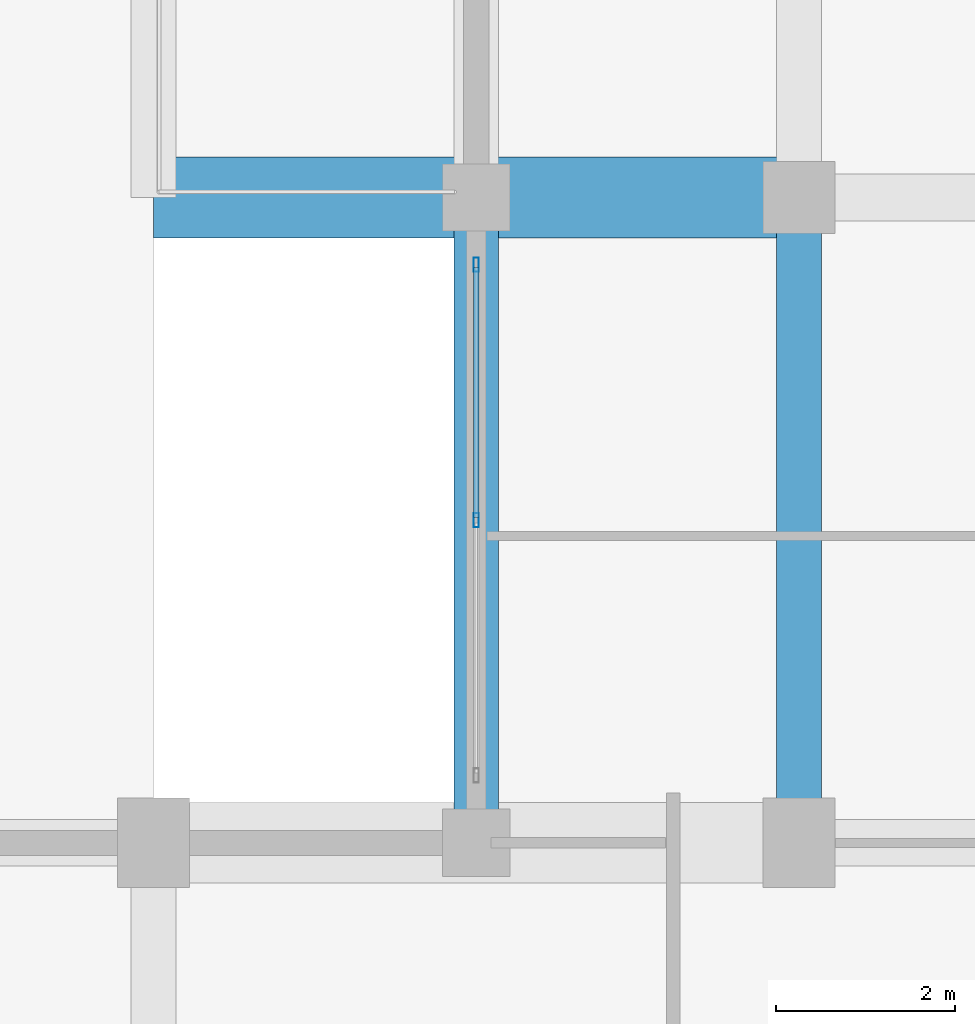
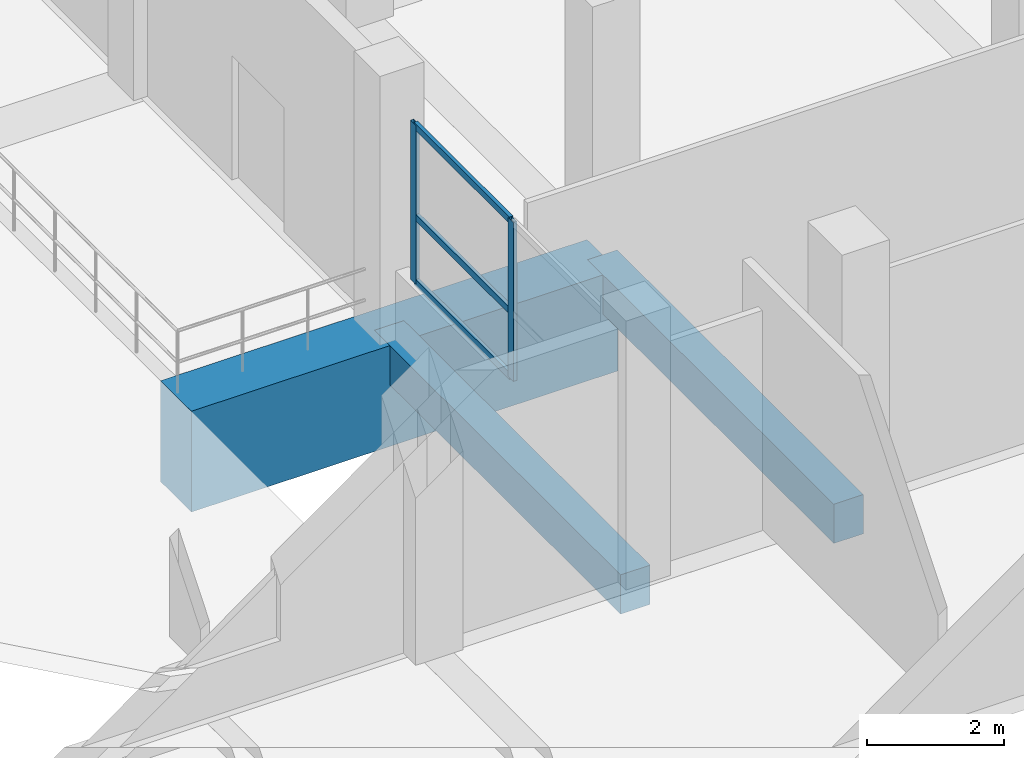
# One storey, part 16 of 140: 5 members, 3 beams, 1 element without a shape of its own.
"""IFC4 building model written with IfcOpenShell, lengths in metres."""

import ifcopenshell
import ifcopenshell.guid

model = None  # the IFC model being written
_history = None  # IfcOwnerHistory: only IFC2X3 demands one
_inside = {}  # id of a spatial element -> (the spatial element, [elements in it])
_under = {}  # id of a project, library or spatial element -> (it, [spatial elements below it])
_declared = {}  # id of a project -> (the project, [libraries it declares])
_typed = {}  # id of a type object -> (the type object, [elements of that type])
_made_of = {}  # id of a material, layer set ... -> (it, [elements and type objects made of it])


def new_model(schema):
    """Start an empty IFC model of exactly this schema.

    Asked for "IFC4X3", IfcOpenShell would pick the latest addendum, in which some entities
    have other attributes; the version numbers below select the first issue.
    IFC2X3 requires an IfcOwnerHistory on every rooted entity: one is made here for all.
    """
    global model, _history
    if schema == "IFC4X3":
        model = ifcopenshell.file(schema_version=(4, 3, 0, 0))
    else:
        model = ifcopenshell.file(schema=schema)
    _inside.clear()
    _under.clear()
    _declared.clear()
    _typed.clear()
    _made_of.clear()
    _history = None
    if model.schema == "IFC2X3":
        org = make("IfcOrganization", Name="unknown")
        user = make(
            "IfcPersonAndOrganization",
            ThePerson=make("IfcPerson", FamilyName="unknown"),
            TheOrganization=org,
        )
        app = make(
            "IfcApplication",
            ApplicationDeveloper=org,
            Version="unknown",
            ApplicationFullName="unknown",
            ApplicationIdentifier="unknown",
        )
        _history = make(
            "IfcOwnerHistory",
            OwningUser=user,
            OwningApplication=app,
            ChangeAction="ADDED",
            CreationDate=0,
        )
    return model


def make(cls, **values):
    """One entity of the class cls with the attributes given. An attribute that is None is left unset."""
    return model.create_entity(
        cls, **{name: value for name, value in values.items() if value is not None}
    )


def rooted(cls, **values):
    """An entity with a GlobalId (a new one), such as an element, a storey or a relation."""
    return make(cls, GlobalId=ifcopenshell.guid.new(), OwnerHistory=_history, **values)


def si_unit(unit_type, name, prefix=None):
    """IfcSIUnit, for example si_unit("LENGTHUNIT", "METRE", prefix="MILLI")."""
    return make("IfcSIUnit", UnitType=unit_type, Prefix=prefix, Name=name)


def assignment(units):
    """IfcUnitAssignment: the units of a project."""
    return None if units is None else make("IfcUnitAssignment", Units=units)


def point(xyz):
    """IfcCartesianPoint."""
    return None if xyz is None else make("IfcCartesianPoint", Coordinates=xyz)


def direction(xyz):
    """IfcDirection."""
    return None if xyz is None else make("IfcDirection", DirectionRatios=xyz)


def frame(location, z_axis=None, x_axis=None):
    """IfcAxis2Placement3D, a coordinate frame: its origin and axes. An axis left out is left unset."""
    return make(
        "IfcAxis2Placement3D",
        Location=point(location),
        Axis=direction(z_axis),
        RefDirection=direction(x_axis),
    )


def frame_2d(location, x_axis=None):
    """IfcAxis2Placement2D, a coordinate frame in the plane: its origin and x axis."""
    return make(
        "IfcAxis2Placement2D", Location=point(location), RefDirection=direction(x_axis)
    )


def origin():
    """The frame at (0, 0, 0) with its axes left unset."""
    return frame((0.0, 0.0, 0.0))


def origin_2d():
    """The frame at (0, 0) in the plane with its x axis left unset."""
    return frame_2d((0.0, 0.0))


def place(relative_to, where):
    """IfcLocalPlacement: puts the frame where relative to a parent placement (None: the world)."""
    return make(
        "IfcLocalPlacement", PlacementRelTo=relative_to, RelativePlacement=where
    )


def context(
    kind, dimensions, precision=None, world=None, true_north=None, identifier=None
):
    """IfcGeometricRepresentationContext, for example the 3D "Model" context."""
    return make(
        "IfcGeometricRepresentationContext",
        ContextIdentifier=identifier,
        ContextType=kind,
        CoordinateSpaceDimension=dimensions,
        Precision=precision,
        WorldCoordinateSystem=world,
        TrueNorth=true_north,
    )


def subcontext(parent, identifier, kind, view, scale=None):
    """IfcGeometricRepresentationSubContext, for example "Body" below "Model"."""
    return make(
        "IfcGeometricRepresentationSubContext",
        ContextIdentifier=identifier,
        ContextType=kind,
        ParentContext=parent,
        TargetScale=scale,
        TargetView=view,
    )


def project(units=None, contexts=None):
    """IfcProject with its units and contexts."""
    return rooted(
        "IfcProject",
        Name="project",
        RepresentationContexts=contexts,
        UnitsInContext=assignment(units),
    )


def spatial(cls, under=None, at=None, **own):
    """A site, building, storey or space (cls), placed at a placement, below another one or the project."""
    s = rooted(cls, ObjectPlacement=at, **own)
    if under is not None:
        _under.setdefault(under.id(), (under, []))[1].append(s)
    return s


def profile(cls, at=None, kind="AREA", **sizes):
    """A parametric profile (cls). Its sizes go by their IFC names, for example OverallWidth=200.0."""
    return make(cls, ProfileType=kind, Position=at, **sizes)


def rectangle(**sizes):
    """IfcRectangleProfileDef."""
    return profile("IfcRectangleProfileDef", **sizes)


def hollow_rectangle(**sizes):
    """IfcRectangleHollowProfileDef."""
    return profile("IfcRectangleHollowProfileDef", **sizes)


def extrude(swept, where, along, depth):
    """IfcExtrudedAreaSolid: the profile swept, set in the frame where, extruded along a direction by depth."""
    return make(
        "IfcExtrudedAreaSolid",
        SweptArea=swept,
        Position=where,
        ExtrudedDirection=direction(along),
        Depth=depth,
    )


def shape(context_of_items, identifier, shape_type, items):
    """IfcShapeRepresentation: the items that make up one representation, for example the "Body"."""
    return make(
        "IfcShapeRepresentation",
        ContextOfItems=context_of_items,
        RepresentationIdentifier=identifier,
        RepresentationType=shape_type,
        Items=items,
    )


def material(Name=None, Category=None):
    """IfcMaterial."""
    return make("IfcMaterial", Name=Name, Category=Category)


def layer(
    of_material, thickness, ventilated=None, Name=None, Category=None, Priority=None
):
    """IfcMaterialLayer: one layer of a wall or slab, of a material (None: an air gap)."""
    return make(
        "IfcMaterialLayer",
        Material=of_material,
        LayerThickness=thickness,
        IsVentilated=ventilated,
        Name=Name,
        Category=Category,
        Priority=Priority,
    )


def layer_set(layers, Name=None):
    """IfcMaterialLayerSet."""
    return make("IfcMaterialLayerSet", MaterialLayers=layers, LayerSetName=Name)


def material_profile(
    of_material, cross_section, Name=None, Category=None, Priority=None
):
    """IfcMaterialProfile: a cross section and its material."""
    return make(
        "IfcMaterialProfile",
        Name=Name,
        Material=of_material,
        Profile=cross_section,
        Priority=Priority,
        Category=Category,
    )


def profile_set(profiles, Name=None, composite=None):
    """IfcMaterialProfileSet."""
    return make(
        "IfcMaterialProfileSet",
        Name=Name,
        MaterialProfiles=profiles,
        CompositeProfile=composite,
    )


def made_of(thing, what):
    """Note that an element or type object is made of a material, layer set ...; save() writes the relation."""
    if what is not None:
        _made_of.setdefault(what.id(), (what, []))[1].append(thing)
    return thing


def type_object(cls, material=None, **own):
    """A type object (cls), such as IfcWallType, which elements share."""
    return made_of(rooted(cls, **own), material)


def element(
    cls,
    number,
    at=None,
    inside=None,
    cuts=None,
    type_object=None,
    material=None,
    context=None,
    identifier="Body",
    shape_type=None,
    held_by="IfcProductDefinitionShape",
    body=None,
    shapes=None,
    **own,
):
    """One element of the class cls, such as IfcWall. Its Tag is "e" and its number.

    at: its placement. inside: the storey or other place that contains it. cuts: it is an
    opening in that element (IfcRelVoidsElement). A single representation is given by context,
    identifier, shape_type and body (its items); several are given by shapes. held_by: the class
    of the entity that holds the representations. save() writes the other relations.
    """
    e = rooted(cls, Tag="e%d" % number, ObjectPlacement=at, **own)
    if body is not None:
        shapes = [shape(context, identifier, shape_type, body)]
    if shapes is not None:
        e.Representation = make(held_by, Representations=shapes)
    if inside is not None:
        _inside.setdefault(inside.id(), (inside, []))[1].append(e)
    if cuts is not None:
        rooted(
            "IfcRelVoidsElement", RelatingBuildingElement=cuts, RelatedOpeningElement=e
        )
    if type_object is not None:
        _typed.setdefault(type_object.id(), (type_object, []))[1].append(e)
    return made_of(e, material)


def aggregate(whole, parts):
    """IfcRelAggregates: a whole, such as a stair, and the parts it consists of."""
    return rooted("IfcRelAggregates", RelatingObject=whole, RelatedObjects=parts)


def save(model, path):
    """Write the relations noted so far, then the file.

    IfcRelAggregates (storeys below a building ...), IfcRelContainedInSpatialStructure (elements
    in a storey), IfcRelDefinesByType, IfcRelAssociatesMaterial and IfcRelDeclares: one each for
    every whole, place, type object, material and project.
    """
    for whole, parts in _under.values():
        aggregate(whole, parts)
    for where, things in _inside.values():
        rooted(
            "IfcRelContainedInSpatialStructure",
            RelatedElements=things,
            RelatingStructure=where,
        )
    for kind, things in _typed.values():
        rooted("IfcRelDefinesByType", RelatedObjects=things, RelatingType=kind)
    for what, things in _made_of.values():
        rooted("IfcRelAssociatesMaterial", RelatedObjects=things, RelatingMaterial=what)
    for by, libraries in _declared.values():
        rooted("IfcRelDeclares", RelatingContext=by, RelatedDefinitions=libraries)
    model.write(path)


model = new_model("IFC4")

# Units and contexts
model_context = context("Model", 3, precision=1e-05, world=origin(), true_north=direction((0.0, 1.0)))
body_context = subcontext(model_context, "Body", "Model", "MODEL_VIEW")
ifc_project = project(units=[si_unit("LENGTHUNIT", "METRE"), si_unit("AREAUNIT", "SQUARE_METRE"), si_unit("VOLUMEUNIT", "CUBIC_METRE"), si_unit("PLANEANGLEUNIT", "RADIAN"), si_unit("MASSUNIT", "GRAM", prefix="KILO")], contexts=[model_context])

# Site, building, storey
site_placement = place(None, origin())
site = spatial("IfcSite", under=ifc_project, at=site_placement, CompositionType="ELEMENT")
building_placement = place(site_placement, origin())
building = spatial("IfcBuilding", under=site, at=building_placement, Name="Seraya Terrace Polytechnic", CompositionType="ELEMENT")
storey_placement = place(building_placement, frame((0.0, 0.0, 9.60009765625)))
storey = spatial("IfcBuildingStorey", under=building, at=storey_placement, Name="L02", CompositionType="ELEMENT", Elevation=9.60009765625)

# Beams
ifc_material_1 = material(Name="Concrete C40/50", Category="concrete")
ifc_material_profile_1 = material_profile(ifc_material_1, rectangle(XDim=0.5, YDim=0.699951171875, at=origin_2d()), Name="RC 500x700")
ifc_profile_set_1 = profile_set([ifc_material_profile_1], Name="Concrete C40/50")
beam_type_1 = type_object("IfcBeamType", Name="BM-07", PredefinedType="BEAM", material=ifc_profile_set_1)
for number, where, z_axis, x_axis, name in (
    (1, (10.800048828125, 28.800048828125, -0.35009765625), (0.0, 1.0, 0.0), (-1.0, 0.0, 0.0), "Beam BM-07 L02 Y (10.8, 28.8..36.0)"),
    (2, (14.39990234375, 28.800048828125, -0.35009765625), (0.0, 1.0, 0.0), (-1.0, 0.0, 0.0), "Beam BM-07 L02 Y (14.4, 28.8..36.0)"),
):
    element("IfcBeam", number, at=place(storey_placement, frame(where, z_axis=z_axis, x_axis=x_axis)), inside=storey, type_object=beam_type_1, Name=name, PredefinedType="BEAM", context=body_context, shape_type="SweptSolid", body=[
        extrude(rectangle(XDim=0.5, YDim=0.699951171875, at=origin_2d()), origin(), (0.0, 0.0, 1.0), 7.199951171875),
    ])

# Curtain wall, members
ifc_material_2 = material(Name="Anodised aluminium EN AW-6063 T6", Category="aluminium")
ifc_layer = layer(ifc_material_2, 0.179931640625, Name="CW-20")
ifc_layer_set = layer_set([ifc_layer], Name="Anodised aluminium EN AW-6063 T6")
curtain_wall_type = type_object("IfcCurtainWallType", Name="CW-20", PredefinedType="NOTDEFINED", material=ifc_layer_set)
curtain_wall_placement = place(storey_placement, origin())
curtain_wall = element("IfcCurtainWall", 3, at=curtain_wall_placement, inside=storey, type_object=curtain_wall_type, Name="Unitised curtain wall CW-20 (CW-L02-056)", PredefinedType="NOTDEFINED")
ifc_material_profile_2 = material_profile(ifc_material_2, hollow_rectangle(XDim=0.06005859375, YDim=0.159912109375, WallThickness=0.00341796875, at=origin_2d()), Name="RHS 160x60x3.5")
ifc_profile_set_2 = profile_set([ifc_material_profile_2], Name="Anodised aluminium EN AW-6063 T6")
member_type_1 = type_object("IfcMemberType", Name="CWM-02", PredefinedType="MULLION", material=ifc_profile_set_2)
member_1_placement = place(storey_placement, frame((10.800048828125, 32.39990234375, 1.239990234375), z_axis=(0.0, 0.0, 1.0), x_axis=(-1.0, 0.0, 0.0)))
member_1 = element("IfcMember", 4, at=member_1_placement, type_object=member_type_1, Name="CW-20 mullion 2", PredefinedType="MULLION", context=body_context, shape_type="SweptSolid", body=[
    extrude(hollow_rectangle(XDim=0.06005859375, YDim=0.159912109375, WallThickness=0.00341796875, at=origin_2d()), origin(), (0.0, 0.0, 1.0), 2.83984375),
])
member_2_placement = place(storey_placement, frame((10.800048828125, 35.25, 1.239990234375), z_axis=(0.0, 0.0, 1.0), x_axis=(-1.0, 0.0, 0.0)))
member_2 = element("IfcMember", 5, at=member_2_placement, type_object=member_type_1, Name="CW-20 mullion 3", PredefinedType="MULLION", context=body_context, shape_type="SweptSolid", body=[
    extrude(hollow_rectangle(XDim=0.06005859375, YDim=0.159912109375, WallThickness=0.00341796875, at=origin_2d()), origin(), (0.0, 0.0, 1.0), 2.83984375),
])
ifc_material_profile_3 = material_profile(ifc_material_2, hollow_rectangle(XDim=0.06005859375, YDim=0.1201171875, WallThickness=0.003173828125, at=origin_2d()), Name="RHS 120x60x3.2")
ifc_profile_set_3 = profile_set([ifc_material_profile_3], Name="Anodised aluminium EN AW-6063 T6")
member_type_2 = type_object("IfcMemberType", Name="CWT-02", PredefinedType="USERDEFINED", material=ifc_profile_set_3)
member_3_placement = place(storey_placement, frame((10.800048828125, 32.429931640625, 1.27001953125), z_axis=(0.0, 1.0, 0.0), x_axis=(-1.0, 0.0, 0.0)))
member_3 = element("IfcMember", 6, at=member_3_placement, type_object=member_type_2, Name="CW-20 transom 2.1", ObjectType="TRANSOM", PredefinedType="USERDEFINED", context=body_context, shape_type="SweptSolid", body=[
    extrude(hollow_rectangle(XDim=0.06005859375, YDim=0.1201171875, WallThickness=0.003173828125, at=origin_2d()), origin(), (0.0, 0.0, 1.0), 2.7900390625),
])
member_4_placement = place(storey_placement, frame((10.800048828125, 32.429931640625, 2.4326171875), z_axis=(0.0, 1.0, 0.0), x_axis=(-1.0, 0.0, 0.0)))
member_4 = element("IfcMember", 7, at=member_4_placement, type_object=member_type_2, Name="CW-20 transom 2.2", ObjectType="TRANSOM", PredefinedType="USERDEFINED", context=body_context, shape_type="SweptSolid", body=[
    extrude(hollow_rectangle(XDim=0.06005859375, YDim=0.1201171875, WallThickness=0.003173828125, at=origin_2d()), origin(), (0.0, 0.0, 1.0), 2.7900390625),
])
member_5_placement = place(storey_placement, frame((10.800048828125, 32.429931640625, 4.0498046875), z_axis=(0.0, 1.0, 0.0), x_axis=(-1.0, 0.0, 0.0)))
member_5 = element("IfcMember", 8, at=member_5_placement, type_object=member_type_2, Name="CW-20 transom 2.3", ObjectType="TRANSOM", PredefinedType="USERDEFINED", context=body_context, shape_type="SweptSolid", body=[
    extrude(hollow_rectangle(XDim=0.06005859375, YDim=0.1201171875, WallThickness=0.003173828125, at=origin_2d()), origin(), (0.0, 0.0, 1.0), 2.7900390625),
])
aggregate(curtain_wall, [member_1, member_2, member_3, member_4, member_5])

# Beam
ifc_material_profile_4 = material_profile(ifc_material_1, rectangle(XDim=0.89990234375, YDim=1.800048828125, at=origin_2d()), Name="RC 900x1800")
ifc_profile_set_4 = profile_set([ifc_material_profile_4], Name="Concrete C40/50")
beam_type_2 = type_object("IfcBeamType", Name="TG-01", PredefinedType="USERDEFINED", material=ifc_profile_set_4)
beam_placement = place(storey_placement, frame((7.199951171875, 36.0, -0.900146484375), z_axis=(1.0, 0.0, 0.0), x_axis=(0.0, 1.0, 0.0)))
element("IfcBeam", 9, at=beam_placement, inside=storey, type_object=beam_type_2, Name="Transfer girder TG-01 L02 #2", ObjectType="GIRDER", PredefinedType="USERDEFINED", context=body_context, shape_type="SweptSolid", body=[
    extrude(rectangle(XDim=0.89990234375, YDim=1.800048828125, at=origin_2d()), origin(), (0.0, 0.0, 1.0), 7.199951171875),
])

save(model, "model.ifc")
